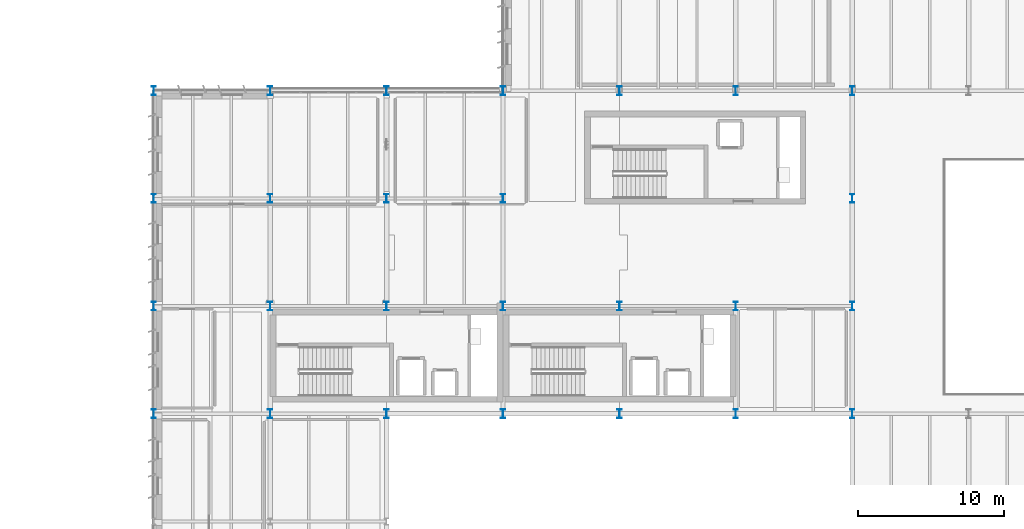
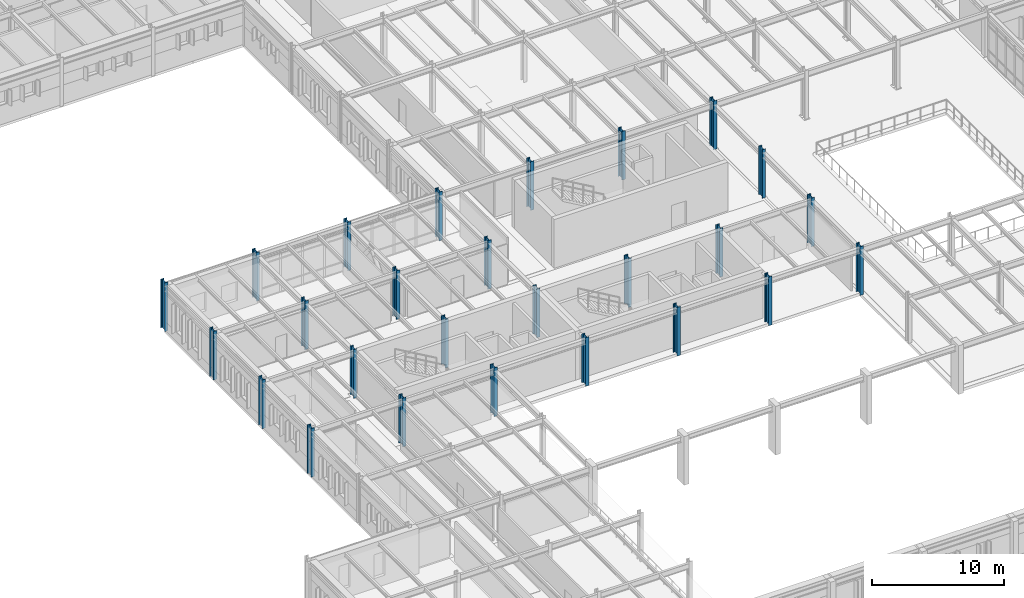
# One storey, part 3 of 75: 26 columns.
"""IFC4 building model written with IfcOpenShell, lengths in metres."""

from ifc_helpers import new_model, si_unit, direction, frame, origin, origin_2d, place, context, subcontext, project, spatial, i_section, extrude, material, material_profile, profile_set, type_object, element, save


model = new_model("IFC4")

# Units and contexts
model_context = context("Model", 3, precision=1e-05, world=origin(), true_north=direction((0.0, 1.0)))
body_context = subcontext(model_context, "Body", "Model", "MODEL_VIEW")
ifc_project = project(units=[si_unit("LENGTHUNIT", "METRE"), si_unit("AREAUNIT", "SQUARE_METRE"), si_unit("VOLUMEUNIT", "CUBIC_METRE"), si_unit("PLANEANGLEUNIT", "RADIAN"), si_unit("MASSUNIT", "GRAM", prefix="KILO")], contexts=[model_context])

# Site, building, storey
site_placement = place(None, origin())
site = spatial("IfcSite", under=ifc_project, at=site_placement, CompositionType="ELEMENT")
building_placement = place(site_placement, origin())
building = spatial("IfcBuilding", under=site, at=building_placement, Name="Valkorina Park Police Headquarters", CompositionType="ELEMENT")
storey_placement = place(building_placement, frame((0.0, 0.0, 5.39990234375)))
storey = spatial("IfcBuildingStorey", under=building, at=storey_placement, Name="L02", CompositionType="ELEMENT", Elevation=5.39990234375)

# Columns
ifc_material = material(Name="Steel S355", Category="steel")
ifc_material_profile_1 = material_profile(ifc_material, i_section(OverallWidth=0.300048828125, OverallDepth=0.60009765625, WebThickness=0.015380859375, FlangeThickness=0.030029296875, FilletRadius=0.027099609375, at=origin_2d()), Name="HEB 600")
ifc_profile_set_1 = profile_set([ifc_material_profile_1], Name="Steel S355")
column_type_1 = type_object("IfcColumnType", Name="COL-S355-HEB600-EXT", PredefinedType="COLUMN", material=ifc_profile_set_1)
for number, where, z_axis, x_axis, name in (
    (1, (8.800048828125, 37.0, 0.0), (0.0, 0.0, 1.0), (1.0, 0.0, 0.0), "L02 Column 0511"),
    (2, (8.800048828125, 44.39990234375, 0.0), (0.0, 0.0, 1.0), (1.0, 0.0, 0.0), "L02 Column 0512"),
    (3, (8.800048828125, 51.800048828125, 0.0), (0.0, 0.0, 1.0), (1.0, 0.0, 0.0), "L02 Column 0513"),
    (4, (8.800048828125, 59.199951171875, 0.0), (0.0, 0.0, 1.0), (1.0, 0.0, 0.0), "L02 Column 0514"),
    (5, (16.800048828125, 59.199951171875, 0.0), (0.0, 0.0, 1.0), (1.0, 0.0, 0.0), "L02 Column 0527"),
    (6, (24.800048828125, 37.0, 0.0), (0.0, 0.0, 1.0), (1.0, 0.0, 0.0), "L02 Column 0537"),
    (7, (24.800048828125, 59.199951171875, 0.0), (0.0, 0.0, 1.0), (1.0, 0.0, 0.0), "L02 Column 0540"),
    (8, (32.800048828125, 37.0, 0.0), (0.0, 0.0, 1.0), (1.0, 0.0, 0.0), "L02 Column 0547"),
    (9, (32.800048828125, 59.199951171875, 0.0), (0.0, 0.0, 1.0), (1.0, 0.0, 0.0), "L02 Column 0550"),
    (10, (40.800048828125, 37.0, 0.0), (0.0, 0.0, 1.0), (1.0, 0.0, 0.0), "L02 Column 0560"),
    (11, (48.800048828125, 37.0, 0.0), (0.0, 0.0, 1.0), (1.0, 0.0, 0.0), "L02 Column 0571"),
    (12, (56.800048828125, 37.0, 0.0), (0.0, 0.0, 1.0), (1.0, 0.0, 0.0), "L02 Column 0583"),
):
    element("IfcColumn", number, at=place(storey_placement, frame(where, z_axis=z_axis, x_axis=x_axis)), inside=storey, type_object=column_type_1, Name=name, PredefinedType="COLUMN", context=body_context, shape_type="SweptSolid", body=[
        extrude(i_section(OverallWidth=0.300048828125, OverallDepth=0.60009765625, WebThickness=0.015380859375, FlangeThickness=0.030029296875, FilletRadius=0.027099609375, at=origin_2d()), origin(), (0.0, 0.0, 1.0), 4.5),
    ])
ifc_material_profile_2 = material_profile(ifc_material, i_section(OverallWidth=0.300048828125, OverallDepth=0.60009765625, WebThickness=0.015380859375, FlangeThickness=0.030029296875, FilletRadius=0.027099609375, at=origin_2d()), Name="HEB 600")
ifc_profile_set_2 = profile_set([ifc_material_profile_2], Name="Steel S355")
column_type_2 = type_object("IfcColumnType", Name="COL-S355-HEB600-INT", PredefinedType="COLUMN", material=ifc_profile_set_2)
for number, where, z_axis, x_axis, name in (
    (13, (16.800048828125, 37.0, 0.0), (0.0, 0.0, 1.0), (1.0, 0.0, 0.0), "L02 Column 0524"),
    (14, (16.800048828125, 44.39990234375, 0.0), (0.0, 0.0, 1.0), (1.0, 0.0, 0.0), "L02 Column 0525"),
    (15, (16.800048828125, 51.800048828125, 0.0), (0.0, 0.0, 1.0), (1.0, 0.0, 0.0), "L02 Column 0526"),
    (16, (24.800048828125, 44.39990234375, 0.0), (0.0, 0.0, 1.0), (1.0, 0.0, 0.0), "L02 Column 0538"),
    (17, (24.800048828125, 51.800048828125, 0.0), (0.0, 0.0, 1.0), (1.0, 0.0, 0.0), "L02 Column 0539"),
    (18, (32.800048828125, 44.39990234375, 0.0), (0.0, 0.0, 1.0), (1.0, 0.0, 0.0), "L02 Column 0548"),
    (19, (32.800048828125, 51.800048828125, 0.0), (0.0, 0.0, 1.0), (1.0, 0.0, 0.0), "L02 Column 0549"),
    (20, (40.800048828125, 44.39990234375, 0.0), (0.0, 0.0, 1.0), (1.0, 0.0, 0.0), "L02 Column 0561"),
    (21, (40.800048828125, 59.199951171875, 0.0), (0.0, 0.0, 1.0), (1.0, 0.0, 0.0), "L02 Column 0562"),
    (22, (48.800048828125, 44.39990234375, 0.0), (0.0, 0.0, 1.0), (1.0, 0.0, 0.0), "L02 Column 0572"),
    (23, (48.800048828125, 59.199951171875, 0.0), (0.0, 0.0, 1.0), (1.0, 0.0, 0.0), "L02 Column 0573"),
    (24, (56.800048828125, 44.39990234375, 0.0), (0.0, 0.0, 1.0), (1.0, 0.0, 0.0), "L02 Column 0584"),
    (25, (56.800048828125, 51.800048828125, 0.0), (0.0, 0.0, 1.0), (1.0, 0.0, 0.0), "L02 Column 0585"),
    (26, (56.800048828125, 59.199951171875, 0.0), (0.0, 0.0, 1.0), (1.0, 0.0, 0.0), "L02 Column 0586"),
):
    element("IfcColumn", number, at=place(storey_placement, frame(where, z_axis=z_axis, x_axis=x_axis)), inside=storey, type_object=column_type_2, Name=name, PredefinedType="COLUMN", context=body_context, shape_type="SweptSolid", body=[
        extrude(i_section(OverallWidth=0.300048828125, OverallDepth=0.60009765625, WebThickness=0.015380859375, FlangeThickness=0.030029296875, FilletRadius=0.027099609375, at=origin_2d()), origin(), (0.0, 0.0, 1.0), 4.5),
    ])

save(model, "model.ifc")
